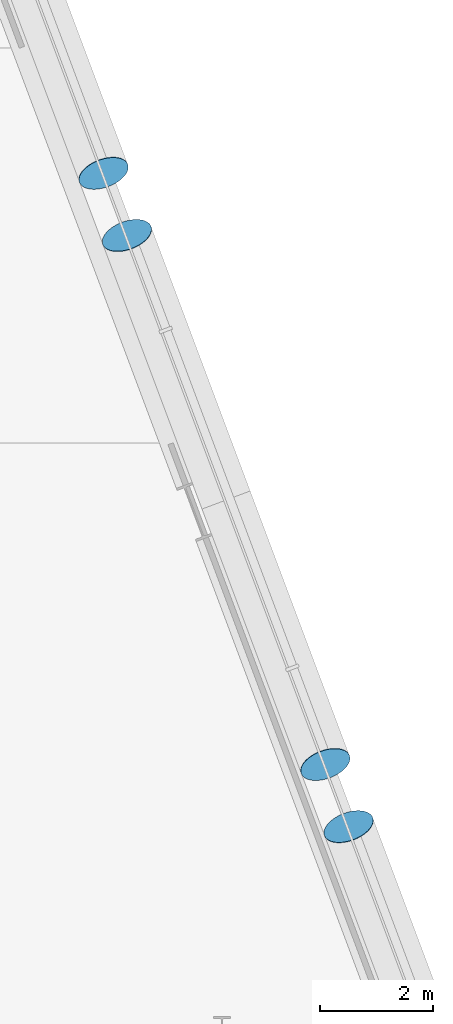
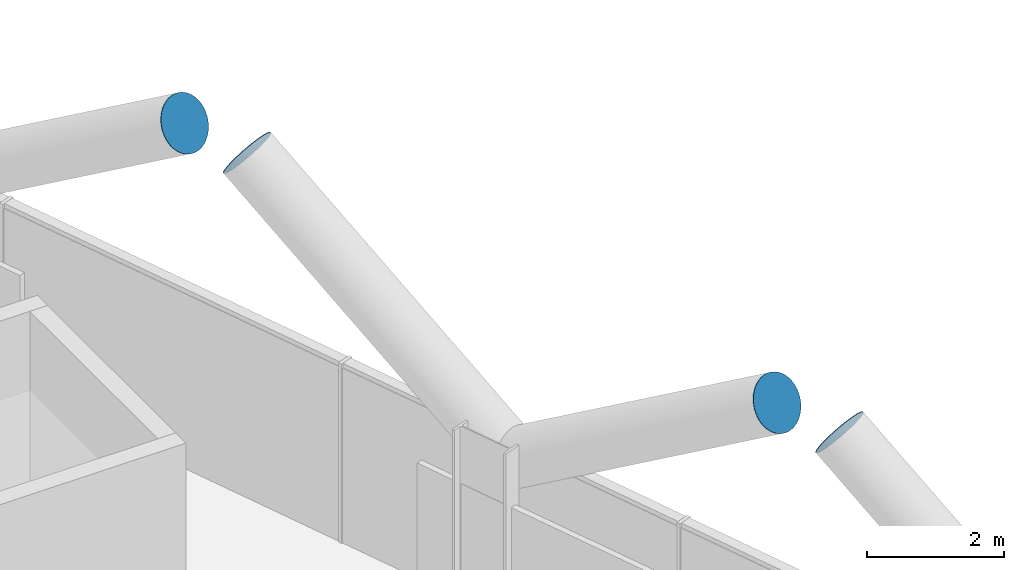
# One storey, part 20 of 24: 4 discrete accessories.
"""IFC4 building model written with IfcOpenShell, lengths in metres."""

import ifcopenshell
import ifcopenshell.guid

model = None  # the IFC model being written
_history = None  # IfcOwnerHistory: only IFC2X3 demands one
_inside = {}  # id of a spatial element -> (the spatial element, [elements in it])
_under = {}  # id of a project, library or spatial element -> (it, [spatial elements below it])
_declared = {}  # id of a project -> (the project, [libraries it declares])
_typed = {}  # id of a type object -> (the type object, [elements of that type])
_made_of = {}  # id of a material, layer set ... -> (it, [elements and type objects made of it])


def new_model(schema):
    """Start an empty IFC model of exactly this schema.

    Asked for "IFC4X3", IfcOpenShell would pick the latest addendum, in which some entities
    have other attributes; the version numbers below select the first issue.
    IFC2X3 requires an IfcOwnerHistory on every rooted entity: one is made here for all.
    """
    global model, _history
    if schema == "IFC4X3":
        model = ifcopenshell.file(schema_version=(4, 3, 0, 0))
    else:
        model = ifcopenshell.file(schema=schema)
    _inside.clear()
    _under.clear()
    _declared.clear()
    _typed.clear()
    _made_of.clear()
    _history = None
    if model.schema == "IFC2X3":
        org = make("IfcOrganization", Name="unknown")
        user = make(
            "IfcPersonAndOrganization",
            ThePerson=make("IfcPerson", FamilyName="unknown"),
            TheOrganization=org,
        )
        app = make(
            "IfcApplication",
            ApplicationDeveloper=org,
            Version="unknown",
            ApplicationFullName="unknown",
            ApplicationIdentifier="unknown",
        )
        _history = make(
            "IfcOwnerHistory",
            OwningUser=user,
            OwningApplication=app,
            ChangeAction="ADDED",
            CreationDate=0,
        )
    return model


def make(cls, **values):
    """One entity of the class cls with the attributes given. An attribute that is None is left unset."""
    return model.create_entity(
        cls, **{name: value for name, value in values.items() if value is not None}
    )


def rooted(cls, **values):
    """An entity with a GlobalId (a new one), such as an element, a storey or a relation."""
    return make(cls, GlobalId=ifcopenshell.guid.new(), OwnerHistory=_history, **values)


def si_unit(unit_type, name, prefix=None):
    """IfcSIUnit, for example si_unit("LENGTHUNIT", "METRE", prefix="MILLI")."""
    return make("IfcSIUnit", UnitType=unit_type, Prefix=prefix, Name=name)


def assignment(units):
    """IfcUnitAssignment: the units of a project."""
    return None if units is None else make("IfcUnitAssignment", Units=units)


def point(xyz):
    """IfcCartesianPoint."""
    return None if xyz is None else make("IfcCartesianPoint", Coordinates=xyz)


def direction(xyz):
    """IfcDirection."""
    return None if xyz is None else make("IfcDirection", DirectionRatios=xyz)


def frame(location, z_axis=None, x_axis=None):
    """IfcAxis2Placement3D, a coordinate frame: its origin and axes. An axis left out is left unset."""
    return make(
        "IfcAxis2Placement3D",
        Location=point(location),
        Axis=direction(z_axis),
        RefDirection=direction(x_axis),
    )


def frame_2d(location, x_axis=None):
    """IfcAxis2Placement2D, a coordinate frame in the plane: its origin and x axis."""
    return make(
        "IfcAxis2Placement2D", Location=point(location), RefDirection=direction(x_axis)
    )


def origin():
    """The frame at (0, 0, 0) with its axes left unset."""
    return frame((0.0, 0.0, 0.0))


def origin_2d():
    """The frame at (0, 0) in the plane with its x axis left unset."""
    return frame_2d((0.0, 0.0))


def place(relative_to, where):
    """IfcLocalPlacement: puts the frame where relative to a parent placement (None: the world)."""
    return make(
        "IfcLocalPlacement", PlacementRelTo=relative_to, RelativePlacement=where
    )


def context(
    kind, dimensions, precision=None, world=None, true_north=None, identifier=None
):
    """IfcGeometricRepresentationContext, for example the 3D "Model" context."""
    return make(
        "IfcGeometricRepresentationContext",
        ContextIdentifier=identifier,
        ContextType=kind,
        CoordinateSpaceDimension=dimensions,
        Precision=precision,
        WorldCoordinateSystem=world,
        TrueNorth=true_north,
    )


def subcontext(parent, identifier, kind, view, scale=None):
    """IfcGeometricRepresentationSubContext, for example "Body" below "Model"."""
    return make(
        "IfcGeometricRepresentationSubContext",
        ContextIdentifier=identifier,
        ContextType=kind,
        ParentContext=parent,
        TargetScale=scale,
        TargetView=view,
    )


def project(units=None, contexts=None):
    """IfcProject with its units and contexts."""
    return rooted(
        "IfcProject",
        Name="project",
        RepresentationContexts=contexts,
        UnitsInContext=assignment(units),
    )


def spatial(cls, under=None, at=None, **own):
    """A site, building, storey or space (cls), placed at a placement, below another one or the project."""
    s = rooted(cls, ObjectPlacement=at, **own)
    if under is not None:
        _under.setdefault(under.id(), (under, []))[1].append(s)
    return s


def profile(cls, at=None, kind="AREA", **sizes):
    """A parametric profile (cls). Its sizes go by their IFC names, for example OverallWidth=200.0."""
    return make(cls, ProfileType=kind, Position=at, **sizes)


def circle(**sizes):
    """IfcCircleProfileDef."""
    return profile("IfcCircleProfileDef", **sizes)


def extrude(swept, where, along, depth):
    """IfcExtrudedAreaSolid: the profile swept, set in the frame where, extruded along a direction by depth."""
    return make(
        "IfcExtrudedAreaSolid",
        SweptArea=swept,
        Position=where,
        ExtrudedDirection=direction(along),
        Depth=depth,
    )


def shape(context_of_items, identifier, shape_type, items):
    """IfcShapeRepresentation: the items that make up one representation, for example the "Body"."""
    return make(
        "IfcShapeRepresentation",
        ContextOfItems=context_of_items,
        RepresentationIdentifier=identifier,
        RepresentationType=shape_type,
        Items=items,
    )


def material(Name=None, Category=None):
    """IfcMaterial."""
    return make("IfcMaterial", Name=Name, Category=Category)


def material_profile(
    of_material, cross_section, Name=None, Category=None, Priority=None
):
    """IfcMaterialProfile: a cross section and its material."""
    return make(
        "IfcMaterialProfile",
        Name=Name,
        Material=of_material,
        Profile=cross_section,
        Priority=Priority,
        Category=Category,
    )


def profile_set(profiles, Name=None, composite=None):
    """IfcMaterialProfileSet."""
    return make(
        "IfcMaterialProfileSet",
        Name=Name,
        MaterialProfiles=profiles,
        CompositeProfile=composite,
    )


def made_of(thing, what):
    """Note that an element or type object is made of a material, layer set ...; save() writes the relation."""
    if what is not None:
        _made_of.setdefault(what.id(), (what, []))[1].append(thing)
    return thing


def type_object(cls, material=None, **own):
    """A type object (cls), such as IfcWallType, which elements share."""
    return made_of(rooted(cls, **own), material)


def element(
    cls,
    number,
    at=None,
    inside=None,
    cuts=None,
    type_object=None,
    material=None,
    context=None,
    identifier="Body",
    shape_type=None,
    held_by="IfcProductDefinitionShape",
    body=None,
    shapes=None,
    **own,
):
    """One element of the class cls, such as IfcWall. Its Tag is "e" and its number.

    at: its placement. inside: the storey or other place that contains it. cuts: it is an
    opening in that element (IfcRelVoidsElement). A single representation is given by context,
    identifier, shape_type and body (its items); several are given by shapes. held_by: the class
    of the entity that holds the representations. save() writes the other relations.
    """
    e = rooted(cls, Tag="e%d" % number, ObjectPlacement=at, **own)
    if body is not None:
        shapes = [shape(context, identifier, shape_type, body)]
    if shapes is not None:
        e.Representation = make(held_by, Representations=shapes)
    if inside is not None:
        _inside.setdefault(inside.id(), (inside, []))[1].append(e)
    if cuts is not None:
        rooted(
            "IfcRelVoidsElement", RelatingBuildingElement=cuts, RelatedOpeningElement=e
        )
    if type_object is not None:
        _typed.setdefault(type_object.id(), (type_object, []))[1].append(e)
    return made_of(e, material)


def aggregate(whole, parts):
    """IfcRelAggregates: a whole, such as a stair, and the parts it consists of."""
    return rooted("IfcRelAggregates", RelatingObject=whole, RelatedObjects=parts)


def save(model, path):
    """Write the relations noted so far, then the file.

    IfcRelAggregates (storeys below a building ...), IfcRelContainedInSpatialStructure (elements
    in a storey), IfcRelDefinesByType, IfcRelAssociatesMaterial and IfcRelDeclares: one each for
    every whole, place, type object, material and project.
    """
    for whole, parts in _under.values():
        aggregate(whole, parts)
    for where, things in _inside.values():
        rooted(
            "IfcRelContainedInSpatialStructure",
            RelatedElements=things,
            RelatingStructure=where,
        )
    for kind, things in _typed.values():
        rooted("IfcRelDefinesByType", RelatedObjects=things, RelatingType=kind)
    for what, things in _made_of.values():
        rooted("IfcRelAssociatesMaterial", RelatedObjects=things, RelatingMaterial=what)
    for by, libraries in _declared.values():
        rooted("IfcRelDeclares", RelatingContext=by, RelatedDefinitions=libraries)
    model.write(path)


model = new_model("IFC4")

# Units and contexts
model_context = context("Model", 3, precision=1e-05, world=origin(), true_north=direction((0.0, 1.0)))
body_context = subcontext(model_context, "Body", "Model", "MODEL_VIEW")
ifc_project = project(units=[si_unit("LENGTHUNIT", "METRE"), si_unit("AREAUNIT", "SQUARE_METRE"), si_unit("VOLUMEUNIT", "CUBIC_METRE"), si_unit("PLANEANGLEUNIT", "RADIAN"), si_unit("MASSUNIT", "GRAM", prefix="KILO")], contexts=[model_context])

# Site, building, storey
site_placement = place(None, origin())
site = spatial("IfcSite", under=ifc_project, at=site_placement, CompositionType="ELEMENT")
building_placement = place(site_placement, origin())
building = spatial("IfcBuilding", under=site, at=building_placement, Name="Wharfspan Tower", CompositionType="ELEMENT")
storey_placement = place(building_placement, frame((0.0, 0.0, 66.699951)))
storey = spatial("IfcBuildingStorey", under=building, at=storey_placement, Name="L13", CompositionType="ELEMENT", Elevation=66.699951)

# Discrete accessories
ifc_material = material(Name="Steel S460NH", Category="steel")
ifc_material_profile = material_profile(ifc_material, circle(Radius=0.457031, at=origin_2d()))
ifc_profile_set = profile_set([ifc_material_profile], Name="Steel S460NH")
discrete_accessory_type = type_object("IfcDiscreteAccessoryType", Name="End plate CHS 914x40", PredefinedType="BRACKET", material=ifc_profile_set)
for number, where, z_axis, x_axis, name in (
    (1, (86.251465, 15.172852, 6.117432), (-0.295241, 0.787309, 0.541275), (-0.936333, -0.351125, 0.0), "End plate CHS 914x40"),
    (2, (85.833008, 16.288574, 6.117432), (0.295241, -0.787309, 0.541275), (0.936333, 0.351125, 0.0), "End plate CHS 914x40"),
    (3, (82.313965, 25.672852, 6.117432), (-0.295241, 0.787309, 0.541275), (-0.936333, -0.351125, 0.0), "End plate CHS 914x40"),
    (4, (81.895508, 26.788574, 6.117432), (0.295241, -0.787309, 0.541275), (0.936333, 0.351125, 0.0), "End plate CHS 914x40"),
):
    element("IfcDiscreteAccessory", number, at=place(storey_placement, frame(where, z_axis=z_axis, x_axis=x_axis)), inside=storey, type_object=discrete_accessory_type, Name=name, PredefinedType="BRACKET", context=body_context, shape_type="SweptSolid", body=[
        extrude(circle(Radius=0.457031, at=origin_2d()), origin(), (0.0, 0.0, 1.0), 0.01001),
    ])

save(model, "model.ifc")
